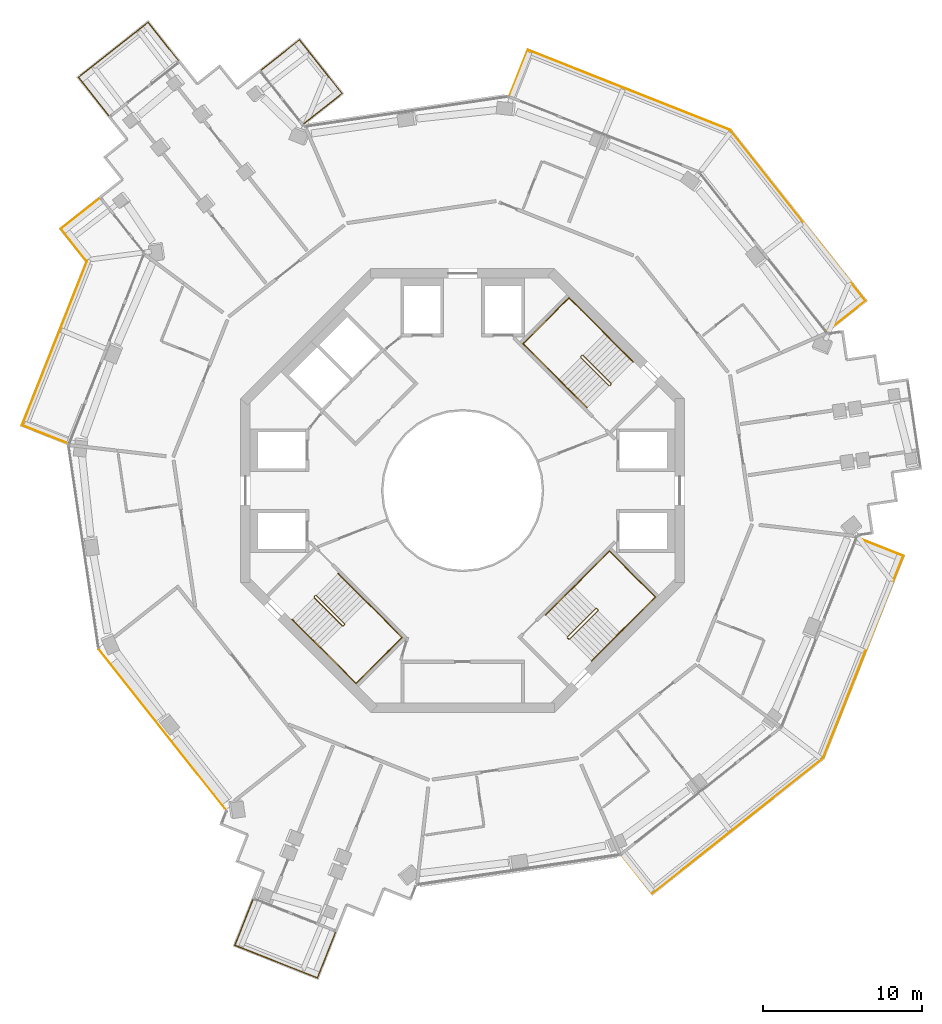
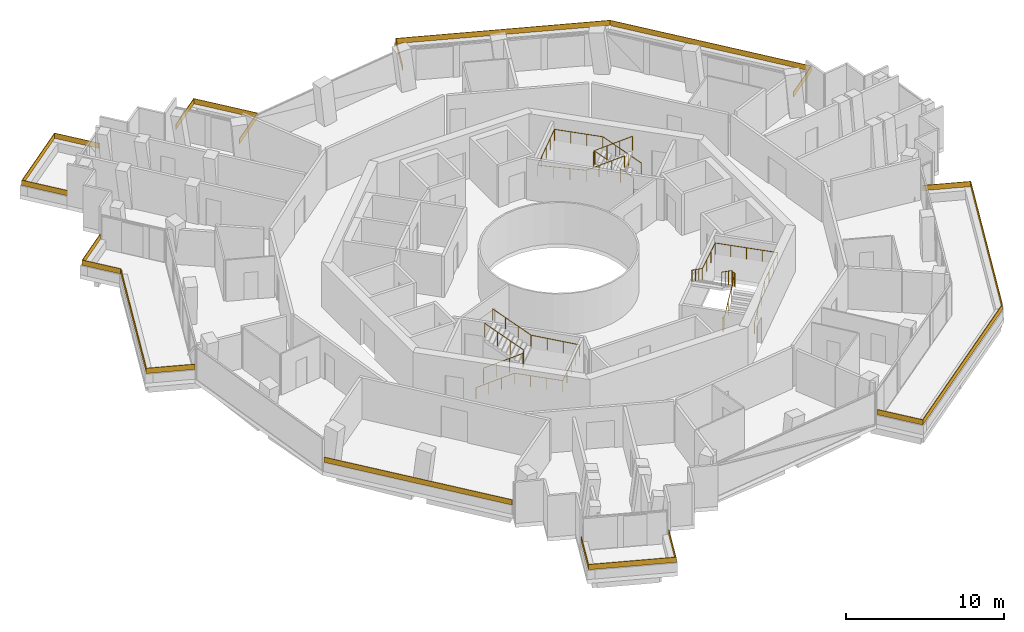
# One storey, part 21 of 21: 13 railings.
"""IFC4 building model written with IfcOpenShell, lengths in metres."""

import ifcopenshell
import ifcopenshell.guid

model = None  # the IFC model being written
_history = None  # IfcOwnerHistory: only IFC2X3 demands one
_inside = {}  # id of a spatial element -> (the spatial element, [elements in it])
_under = {}  # id of a project, library or spatial element -> (it, [spatial elements below it])
_declared = {}  # id of a project -> (the project, [libraries it declares])
_typed = {}  # id of a type object -> (the type object, [elements of that type])
_made_of = {}  # id of a material, layer set ... -> (it, [elements and type objects made of it])


def new_model(schema):
    """Start an empty IFC model of exactly this schema.

    Asked for "IFC4X3", IfcOpenShell would pick the latest addendum, in which some entities
    have other attributes; the version numbers below select the first issue.
    IFC2X3 requires an IfcOwnerHistory on every rooted entity: one is made here for all.
    """
    global model, _history
    if schema == "IFC4X3":
        model = ifcopenshell.file(schema_version=(4, 3, 0, 0))
    else:
        model = ifcopenshell.file(schema=schema)
    _inside.clear()
    _under.clear()
    _declared.clear()
    _typed.clear()
    _made_of.clear()
    _history = None
    if model.schema == "IFC2X3":
        org = make("IfcOrganization", Name="unknown")
        user = make(
            "IfcPersonAndOrganization",
            ThePerson=make("IfcPerson", FamilyName="unknown"),
            TheOrganization=org,
        )
        app = make(
            "IfcApplication",
            ApplicationDeveloper=org,
            Version="unknown",
            ApplicationFullName="unknown",
            ApplicationIdentifier="unknown",
        )
        _history = make(
            "IfcOwnerHistory",
            OwningUser=user,
            OwningApplication=app,
            ChangeAction="ADDED",
            CreationDate=0,
        )
    return model


def make(cls, **values):
    """One entity of the class cls with the attributes given. An attribute that is None is left unset."""
    return model.create_entity(
        cls, **{name: value for name, value in values.items() if value is not None}
    )


def rooted(cls, **values):
    """An entity with a GlobalId (a new one), such as an element, a storey or a relation."""
    return make(cls, GlobalId=ifcopenshell.guid.new(), OwnerHistory=_history, **values)


def si_unit(unit_type, name, prefix=None):
    """IfcSIUnit, for example si_unit("LENGTHUNIT", "METRE", prefix="MILLI")."""
    return make("IfcSIUnit", UnitType=unit_type, Prefix=prefix, Name=name)


def assignment(units):
    """IfcUnitAssignment: the units of a project."""
    return None if units is None else make("IfcUnitAssignment", Units=units)


def point(xyz):
    """IfcCartesianPoint."""
    return None if xyz is None else make("IfcCartesianPoint", Coordinates=xyz)


def direction(xyz):
    """IfcDirection."""
    return None if xyz is None else make("IfcDirection", DirectionRatios=xyz)


def frame(location, z_axis=None, x_axis=None):
    """IfcAxis2Placement3D, a coordinate frame: its origin and axes. An axis left out is left unset."""
    return make(
        "IfcAxis2Placement3D",
        Location=point(location),
        Axis=direction(z_axis),
        RefDirection=direction(x_axis),
    )


def frame_2d(location, x_axis=None):
    """IfcAxis2Placement2D, a coordinate frame in the plane: its origin and x axis."""
    return make(
        "IfcAxis2Placement2D", Location=point(location), RefDirection=direction(x_axis)
    )


def origin():
    """The frame at (0, 0, 0) with its axes left unset."""
    return frame((0.0, 0.0, 0.0))


def origin_2d():
    """The frame at (0, 0) in the plane with its x axis left unset."""
    return frame_2d((0.0, 0.0))


def place(relative_to, where):
    """IfcLocalPlacement: puts the frame where relative to a parent placement (None: the world)."""
    return make(
        "IfcLocalPlacement", PlacementRelTo=relative_to, RelativePlacement=where
    )


def context(
    kind, dimensions, precision=None, world=None, true_north=None, identifier=None
):
    """IfcGeometricRepresentationContext, for example the 3D "Model" context."""
    return make(
        "IfcGeometricRepresentationContext",
        ContextIdentifier=identifier,
        ContextType=kind,
        CoordinateSpaceDimension=dimensions,
        Precision=precision,
        WorldCoordinateSystem=world,
        TrueNorth=true_north,
    )


def subcontext(parent, identifier, kind, view, scale=None):
    """IfcGeometricRepresentationSubContext, for example "Body" below "Model"."""
    return make(
        "IfcGeometricRepresentationSubContext",
        ContextIdentifier=identifier,
        ContextType=kind,
        ParentContext=parent,
        TargetScale=scale,
        TargetView=view,
    )


def project(units=None, contexts=None):
    """IfcProject with its units and contexts."""
    return rooted(
        "IfcProject",
        Name="project",
        RepresentationContexts=contexts,
        UnitsInContext=assignment(units),
    )


def spatial(cls, under=None, at=None, **own):
    """A site, building, storey or space (cls), placed at a placement, below another one or the project."""
    s = rooted(cls, ObjectPlacement=at, **own)
    if under is not None:
        _under.setdefault(under.id(), (under, []))[1].append(s)
    return s


def polyline(points):
    """IfcPolyline through the points."""
    return make("IfcPolyline", Points=[point(p) for p in points])


def profile(cls, at=None, kind="AREA", **sizes):
    """A parametric profile (cls). Its sizes go by their IFC names, for example OverallWidth=200.0."""
    return make(cls, ProfileType=kind, Position=at, **sizes)


def rectangle(**sizes):
    """IfcRectangleProfileDef."""
    return profile("IfcRectangleProfileDef", **sizes)


def circle(**sizes):
    """IfcCircleProfileDef."""
    return profile("IfcCircleProfileDef", **sizes)


def outline(outer, holes=None, kind="AREA"):
    """IfcArbitraryClosedProfileDef: a profile drawn as a closed curve; with holes, ...WithVoids."""
    if holes is None:
        return make("IfcArbitraryClosedProfileDef", ProfileType=kind, OuterCurve=outer)
    return make(
        "IfcArbitraryProfileDefWithVoids",
        ProfileType=kind,
        OuterCurve=outer,
        InnerCurves=holes,
    )


def extrude(swept, where, along, depth):
    """IfcExtrudedAreaSolid: the profile swept, set in the frame where, extruded along a direction by depth."""
    return make(
        "IfcExtrudedAreaSolid",
        SweptArea=swept,
        Position=where,
        ExtrudedDirection=direction(along),
        Depth=depth,
    )


def shape(context_of_items, identifier, shape_type, items):
    """IfcShapeRepresentation: the items that make up one representation, for example the "Body"."""
    return make(
        "IfcShapeRepresentation",
        ContextOfItems=context_of_items,
        RepresentationIdentifier=identifier,
        RepresentationType=shape_type,
        Items=items,
    )


def material(Name=None, Category=None):
    """IfcMaterial."""
    return make("IfcMaterial", Name=Name, Category=Category)


def layer(
    of_material, thickness, ventilated=None, Name=None, Category=None, Priority=None
):
    """IfcMaterialLayer: one layer of a wall or slab, of a material (None: an air gap)."""
    return make(
        "IfcMaterialLayer",
        Material=of_material,
        LayerThickness=thickness,
        IsVentilated=ventilated,
        Name=Name,
        Category=Category,
        Priority=Priority,
    )


def layer_set(layers, Name=None):
    """IfcMaterialLayerSet."""
    return make("IfcMaterialLayerSet", MaterialLayers=layers, LayerSetName=Name)


def made_of(thing, what):
    """Note that an element or type object is made of a material, layer set ...; save() writes the relation."""
    if what is not None:
        _made_of.setdefault(what.id(), (what, []))[1].append(thing)
    return thing


def type_object(cls, material=None, **own):
    """A type object (cls), such as IfcWallType, which elements share."""
    return made_of(rooted(cls, **own), material)


def element(
    cls,
    number,
    at=None,
    inside=None,
    cuts=None,
    type_object=None,
    material=None,
    context=None,
    identifier="Body",
    shape_type=None,
    held_by="IfcProductDefinitionShape",
    body=None,
    shapes=None,
    **own,
):
    """One element of the class cls, such as IfcWall. Its Tag is "e" and its number.

    at: its placement. inside: the storey or other place that contains it. cuts: it is an
    opening in that element (IfcRelVoidsElement). A single representation is given by context,
    identifier, shape_type and body (its items); several are given by shapes. held_by: the class
    of the entity that holds the representations. save() writes the other relations.
    """
    e = rooted(cls, Tag="e%d" % number, ObjectPlacement=at, **own)
    if body is not None:
        shapes = [shape(context, identifier, shape_type, body)]
    if shapes is not None:
        e.Representation = make(held_by, Representations=shapes)
    if inside is not None:
        _inside.setdefault(inside.id(), (inside, []))[1].append(e)
    if cuts is not None:
        rooted(
            "IfcRelVoidsElement", RelatingBuildingElement=cuts, RelatedOpeningElement=e
        )
    if type_object is not None:
        _typed.setdefault(type_object.id(), (type_object, []))[1].append(e)
    return made_of(e, material)


def aggregate(whole, parts):
    """IfcRelAggregates: a whole, such as a stair, and the parts it consists of."""
    return rooted("IfcRelAggregates", RelatingObject=whole, RelatedObjects=parts)


def save(model, path):
    """Write the relations noted so far, then the file.

    IfcRelAggregates (storeys below a building ...), IfcRelContainedInSpatialStructure (elements
    in a storey), IfcRelDefinesByType, IfcRelAssociatesMaterial and IfcRelDeclares: one each for
    every whole, place, type object, material and project.
    """
    for whole, parts in _under.values():
        aggregate(whole, parts)
    for where, things in _inside.values():
        rooted(
            "IfcRelContainedInSpatialStructure",
            RelatedElements=things,
            RelatingStructure=where,
        )
    for kind, things in _typed.values():
        rooted("IfcRelDefinesByType", RelatedObjects=things, RelatingType=kind)
    for what, things in _made_of.values():
        rooted("IfcRelAssociatesMaterial", RelatedObjects=things, RelatingMaterial=what)
    for by, libraries in _declared.values():
        rooted("IfcRelDeclares", RelatingContext=by, RelatedDefinitions=libraries)
    model.write(path)


model = new_model("IFC4")

# Units and contexts
model_context = context("Model", 3, precision=1e-05, world=origin(), true_north=direction((0.0, 1.0)))
body_context = subcontext(model_context, "Body", "Model", "MODEL_VIEW")
ifc_project = project(units=[si_unit("LENGTHUNIT", "METRE"), si_unit("AREAUNIT", "SQUARE_METRE"), si_unit("VOLUMEUNIT", "CUBIC_METRE"), si_unit("PLANEANGLEUNIT", "RADIAN"), si_unit("MASSUNIT", "GRAM", prefix="KILO")], contexts=[model_context])

# Site, building, storey
site_placement = place(None, origin())
site = spatial("IfcSite", under=ifc_project, at=site_placement, CompositionType="ELEMENT")
building_placement = place(site_placement, origin())
building = spatial("IfcBuilding", under=site, at=building_placement, Name="Verdalira Terraces Hotel", CompositionType="ELEMENT")
storey_placement = place(building_placement, frame((0.0, 0.0, 190.5)))
storey = spatial("IfcBuildingStorey", under=building, at=storey_placement, Name="L46", CompositionType="ELEMENT", Elevation=190.5)

# Railings
ifc_material_1 = material(Name="Laminated glass", Category="glass")
ifc_layer = layer(ifc_material_1, 0.0400390625)
ifc_layer_set = layer_set([ifc_layer], Name="Balcony glass guard 400")
railing_type_1 = type_object("IfcRailingType", Name="Balcony glass guard 400", PredefinedType="GUARDRAIL", material=ifc_layer_set)
railing_1_placement = place(storey_placement, frame((0.0, 0.0, 0.699951)))
element("IfcRailing", 1, at=railing_1_placement, inside=storey, type_object=railing_type_1, Name="Balcony glass guard", PredefinedType="GUARDRAIL", context=body_context, shape_type="SweptSolid", body=[
    extrude(outline(polyline([(-19.848877, 29.518555), (-24.206299, 26.064941), (-22.293701, 23.6521), (-22.324951, 23.627197), (-24.262451, 26.071533), (-19.842285, 29.574707), (-17.905029, 27.130371), (-17.936279, 27.105713), (-19.848877, 29.518555)])), origin(), (0.0, 0.0, 1.0), 0.400146),
])
railing_2_placement = place(storey_placement, frame((0.0, 0.0, 0.699951)))
element("IfcRailing", 2, at=railing_2_placement, inside=storey, type_object=railing_type_1, Name="Balcony glass guard", PredefinedType="GUARDRAIL", context=body_context, shape_type="SweptSolid", body=[
    extrude(outline(polyline([(-25.311523, 16.512207), (-23.68042, 14.454102), (-27.76709, 4.131836), (-24.904297, 2.998535), (-24.919189, 2.961182), (-27.819092, 4.109375), (-23.726074, 14.447266), (-25.367676, 16.518555), (-22.92334, 18.456055), (-22.898438, 18.424561), (-25.311523, 16.512207)])), origin(), (0.0, 0.0, 1.0), 0.400146),
])
railing_3_placement = place(storey_placement, frame((0.0, 0.0, 0.699951)))
element("IfcRailing", 3, at=railing_3_placement, inside=storey, type_object=railing_type_1, Name="Balcony glass guard", PredefinedType="GUARDRAIL", context=body_context, shape_type="SweptSolid", body=[
    extrude(outline(polyline([(-14.342041, -28.672119), (-9.172607, -30.718994), (-8.039062, -27.856201), (-8.001953, -27.87085), (-9.150146, -30.770752), (-14.394043, -28.69458), (-13.24585, -25.794678), (-13.208496, -25.809326), (-14.342041, -28.672119)])), origin(), (0.0, 0.0, 1.0), 0.400146),
])
railing_4_placement = place(storey_placement, frame((0.0, 0.0, 0.699951)))
element("IfcRailing", 4, at=railing_4_placement, inside=storey, type_object=railing_type_1, Name="Balcony glass guard", PredefinedType="GUARDRAIL", context=body_context, shape_type="SweptSolid", body=[
    extrude(outline(polyline([(11.981201, -25.387695), (22.721924, -16.874756), (27.76709, -4.131836), (24.904297, -2.998535), (24.919189, -2.961182), (27.819092, -4.109375), (22.755127, -16.899414), (11.974609, -25.444092), (10.037354, -22.999756), (10.068604, -22.974854), (11.981201, -25.387695)])), origin(), (0.0, 0.0, 1.0), 0.400146),
])
railing_5_placement = place(storey_placement, frame((0.0, 0.0, 0.699951)))
element("IfcRailing", 5, at=railing_5_placement, inside=storey, type_object=railing_type_1, Name="Balcony glass guard", PredefinedType="GUARDRAIL", context=body_context, shape_type="SweptSolid", body=[
    extrude(outline(polyline([(25.387695, 11.981201), (16.874756, 22.721924), (4.131836, 27.76709), (2.998535, 24.904297), (2.961182, 24.919189), (4.109375, 27.819092), (16.899414, 22.755127), (25.444092, 11.974609), (22.999756, 10.037354), (22.974854, 10.068604), (25.387695, 11.981201)])), origin(), (0.0, 0.0, 1.0), 0.400146),
])
railing_6_placement = place(storey_placement, frame((0.0, 0.0, 0.699951)))
element("IfcRailing", 6, at=railing_6_placement, inside=storey, type_object=railing_type_1, Name="Balcony glass guard", PredefinedType="GUARDRAIL", context=body_context, shape_type="SweptSolid", body=[
    extrude(outline(polyline([(-7.634766, 25.055664), (-10.295898, 28.41333), (-12.708984, 26.500732), (-12.733643, 26.532227), (-10.289307, 28.469482), (-7.578613, 25.049316), (-10.022949, 23.111816), (-10.047852, 23.143311), (-7.634766, 25.055664)])), origin(), (0.0, 0.0, 1.0), 0.400146),
])
railing_7_placement = place(storey_placement, frame((-18.971924, -15.036865, 0.699951), z_axis=(0.0, 0.0, 1.0), x_axis=(0.62114778, -0.783693457, 0.0)))
element("IfcRailing", 7, at=railing_7_placement, inside=storey, type_object=railing_type_1, Name="Loggia glass guard", PredefinedType="GUARDRAIL", context=body_context, shape_type="SweptSolid", body=[
    extrude(rectangle(XDim=12.840088, YDim=0.040039, at=origin_2d()), origin(), (0.0, 0.0, 1.0), 0.399902),
])
ifc_material_2 = material(Name="Stainless steel", Category="steel")
railing_type_2 = type_object("IfcRailingType", Name="Stair guard 1100", PredefinedType="GUARDRAIL", material=ifc_material_2)
railing_8_placement = place(storey_placement, frame((9.369141, 6.682129, 0.0)))
element("IfcRailing", 8, at=railing_8_placement, inside=storey, type_object=railing_type_2, Name="L46 ST1 stair guard 1", PredefinedType="GUARDRAIL", context=body_context, shape_type="SweptSolid", body=[
    extrude(circle(Radius=0.023926, at=origin_2d()), frame((0.0, 0.0, 1.076172), z_axis=(-0.707106781, -0.707106781, 0.0), x_axis=(0.707106781, -0.707106781, 0.0)), (0.0, 0.0, 1.0), 0.100098),
    extrude(circle(Radius=0.023926, at=origin_2d()), frame((-0.070801, -0.070801, 1.076172), z_axis=(0.299976798, 0.599953596, 0.741666773), x_axis=(-0.894427191, 0.447213596, 0.0)), (0.0, 0.0, 1.0), 0.236084),
    extrude(circle(Radius=0.023926, at=origin_2d()), frame((0.0, 0.070801, 1.250977), z_axis=(-0.599667044, 0.599584886, 0.529997548), x_axis=(-0.707058338, -0.707155221, 0.0)), (0.0, 0.0, 1.0), 2.97168),
    extrude(circle(Radius=0.023926, at=origin_2d()), frame((-1.781982, 1.852539, 2.826172), z_axis=(-1.0, 0.0, 0.0), x_axis=(0.0, -1.0, 0.0)), (0.0, 0.0, 1.0), 0.070557),
    extrude(circle(Radius=0.023926, at=origin_2d()), frame((-1.852539, 1.852539, 2.826172), z_axis=(-0.70832698, -0.705884473, 0.0), x_axis=(0.705884473, -0.70832698, 0.0)), (0.0, 0.0, 1.0), 0.099854),
    extrude(circle(Radius=0.023926, at=origin_2d()), frame((-1.92334, 1.781982, 2.826172), z_axis=(0.0, -0.374954687, 0.92704314), x_axis=(1.0, 0.0, 0.0)), (0.0, 0.0, 1.0), 0.188721),
    extrude(circle(Radius=0.023926, at=origin_2d()), frame((-1.92334, 1.711182, 3.000977), z_axis=(0.599637504, -0.599637504, 0.52997144), x_axis=(0.707106781, 0.707106781, 0.0)), (0.0, 0.0, 1.0), 2.97168),
    extrude(circle(Radius=0.020996, at=origin_2d()), origin(), (0.0, 0.0, 1.0), 1.052002),
    extrude(circle(Radius=0.020996, at=origin_2d()), frame((-0.070801, -0.070801, 0.0)), (0.0, 0.0, 1.0), 1.052002),
    extrude(circle(Radius=0.020996, at=origin_2d()), frame((0.0, 0.070801, 0.175049)), (0.0, 0.0, 1.0), 1.052002),
    extrude(circle(Radius=0.020996, at=origin_2d()), frame((-0.593994, 0.664795, 0.699951)), (0.0, 0.0, 1.0), 1.052002),
    extrude(circle(Radius=0.020996, at=origin_2d()), frame((-1.187988, 1.258545, 1.225098)), (0.0, 0.0, 1.0), 1.052002),
    extrude(circle(Radius=0.020996, at=origin_2d()), frame((-1.781982, 1.852539, 1.75)), (0.0, 0.0, 1.0), 1.052002),
    extrude(circle(Radius=0.020996, at=origin_2d()), frame((-1.852539, 1.852539, 1.75)), (0.0, 0.0, 1.0), 1.052002),
    extrude(circle(Radius=0.020996, at=origin_2d()), frame((-1.92334, 1.781982, 1.75)), (0.0, 0.0, 1.0), 1.052002),
    extrude(circle(Radius=0.020996, at=origin_2d()), frame((-1.92334, 1.711182, 1.925049)), (0.0, 0.0, 1.0), 1.052002),
    extrude(circle(Radius=0.020996, at=origin_2d()), frame((-1.329346, 1.117188, 2.449951)), (0.0, 0.0, 1.0), 1.052002),
    extrude(circle(Radius=0.020996, at=origin_2d()), frame((-0.735352, 0.523193, 2.975098)), (0.0, 0.0, 1.0), 1.052002),
    extrude(circle(Radius=0.020996, at=origin_2d()), frame((-0.141357, -0.070801, 3.5)), (0.0, 0.0, 1.0), 1.052002),
])
railing_9_placement = place(storey_placement, frame((-9.369141, -6.682129, 0.0)))
element("IfcRailing", 9, at=railing_9_placement, inside=storey, type_object=railing_type_2, Name="L46 ST2 stair guard 1", PredefinedType="GUARDRAIL", context=body_context, shape_type="SweptSolid", body=[
    extrude(circle(Radius=0.023926, at=origin_2d()), frame((0.0, 0.0, 1.076172), z_axis=(0.707106781, 0.707106781, 0.0), x_axis=(-0.707106781, 0.707106781, 0.0)), (0.0, 0.0, 1.0), 0.100098),
    extrude(circle(Radius=0.023926, at=origin_2d()), frame((0.070801, 0.070801, 1.076172), z_axis=(-0.299976798, -0.599953596, 0.741666773), x_axis=(0.894427191, -0.447213596, 0.0)), (0.0, 0.0, 1.0), 0.236084),
    extrude(circle(Radius=0.023926, at=origin_2d()), frame((0.0, -0.070801, 1.250977), z_axis=(0.599667044, -0.599584886, 0.529997548), x_axis=(0.707058338, 0.707155221, 0.0)), (0.0, 0.0, 1.0), 2.97168),
    extrude(circle(Radius=0.023926, at=origin_2d()), frame((1.781982, -1.852539, 2.826172), z_axis=(1.0, 0.0, 0.0), x_axis=(0.0, 1.0, 0.0)), (0.0, 0.0, 1.0), 0.070557),
    extrude(circle(Radius=0.023926, at=origin_2d()), frame((1.852539, -1.852539, 2.826172), z_axis=(0.70832698, 0.705884473, 0.0), x_axis=(-0.705884473, 0.70832698, 0.0)), (0.0, 0.0, 1.0), 0.099854),
    extrude(circle(Radius=0.023926, at=origin_2d()), frame((1.92334, -1.781982, 2.826172), z_axis=(0.0, 0.374954687, 0.92704314), x_axis=(-1.0, 0.0, 0.0)), (0.0, 0.0, 1.0), 0.188721),
    extrude(circle(Radius=0.023926, at=origin_2d()), frame((1.92334, -1.711182, 3.000977), z_axis=(-0.599637504, 0.599637504, 0.52997144), x_axis=(-0.707106781, -0.707106781, 0.0)), (0.0, 0.0, 1.0), 2.97168),
    extrude(circle(Radius=0.020996, at=origin_2d()), origin(), (0.0, 0.0, 1.0), 1.052002),
    extrude(circle(Radius=0.020996, at=origin_2d()), frame((0.070801, 0.070801, 0.0)), (0.0, 0.0, 1.0), 1.052002),
    extrude(circle(Radius=0.020996, at=origin_2d()), frame((0.0, -0.070801, 0.175049)), (0.0, 0.0, 1.0), 1.052002),
    extrude(circle(Radius=0.020996, at=origin_2d()), frame((0.593994, -0.664795, 0.699951)), (0.0, 0.0, 1.0), 1.052002),
    extrude(circle(Radius=0.020996, at=origin_2d()), frame((1.187988, -1.258545, 1.225098)), (0.0, 0.0, 1.0), 1.052002),
    extrude(circle(Radius=0.020996, at=origin_2d()), frame((1.781982, -1.852539, 1.75)), (0.0, 0.0, 1.0), 1.052002),
    extrude(circle(Radius=0.020996, at=origin_2d()), frame((1.852539, -1.852539, 1.75)), (0.0, 0.0, 1.0), 1.052002),
    extrude(circle(Radius=0.020996, at=origin_2d()), frame((1.92334, -1.781982, 1.75)), (0.0, 0.0, 1.0), 1.052002),
    extrude(circle(Radius=0.020996, at=origin_2d()), frame((1.92334, -1.711182, 1.925049)), (0.0, 0.0, 1.0), 1.052002),
    extrude(circle(Radius=0.020996, at=origin_2d()), frame((1.329346, -1.117188, 2.449951)), (0.0, 0.0, 1.0), 1.052002),
    extrude(circle(Radius=0.020996, at=origin_2d()), frame((0.735352, -0.523193, 2.975098)), (0.0, 0.0, 1.0), 1.052002),
    extrude(circle(Radius=0.020996, at=origin_2d()), frame((0.141357, 0.070801, 3.5)), (0.0, 0.0, 1.0), 1.052002),
])
railing_10_placement = place(storey_placement, frame((6.682129, -9.369141, 0.0)))
element("IfcRailing", 10, at=railing_10_placement, inside=storey, type_object=railing_type_2, Name="L46 ST3 stair guard 1", PredefinedType="GUARDRAIL", context=body_context, shape_type="SweptSolid", body=[
    extrude(circle(Radius=0.023926, at=origin_2d()), frame((0.0, 0.0, 1.076172), z_axis=(-0.707106781, 0.707106781, 0.0), x_axis=(-0.707106781, -0.707106781, 0.0)), (0.0, 0.0, 1.0), 0.100098),
    extrude(circle(Radius=0.023926, at=origin_2d()), frame((-0.070801, 0.070801, 1.076172), z_axis=(0.599953596, -0.299976798, 0.741666773), x_axis=(0.447213596, 0.894427191, 0.0)), (0.0, 0.0, 1.0), 0.236084),
    extrude(circle(Radius=0.023926, at=origin_2d()), frame((0.070801, 0.0, 1.250977), z_axis=(0.599584886, 0.599667044, 0.529997548), x_axis=(-0.707155221, 0.707058338, 0.0)), (0.0, 0.0, 1.0), 2.97168),
    extrude(circle(Radius=0.023926, at=origin_2d()), frame((1.852539, 1.781982, 2.826172), z_axis=(0.0, 1.0, 0.0), x_axis=(-1.0, 0.0, 0.0)), (0.0, 0.0, 1.0), 0.070557),
    extrude(circle(Radius=0.023926, at=origin_2d()), frame((1.852539, 1.852539, 2.826172), z_axis=(-0.705884473, 0.70832698, 0.0), x_axis=(-0.70832698, -0.705884473, 0.0)), (0.0, 0.0, 1.0), 0.099854),
    extrude(circle(Radius=0.023926, at=origin_2d()), frame((1.781982, 1.92334, 2.826172), z_axis=(-0.374954687, 0.0, 0.92704314), x_axis=(0.0, -1.0, 0.0)), (0.0, 0.0, 1.0), 0.188721),
    extrude(circle(Radius=0.023926, at=origin_2d()), frame((1.711182, 1.92334, 3.000977), z_axis=(-0.599637504, -0.599637504, 0.52997144), x_axis=(0.707106781, -0.707106781, 0.0)), (0.0, 0.0, 1.0), 2.97168),
    extrude(circle(Radius=0.020996, at=origin_2d()), origin(), (0.0, 0.0, 1.0), 1.052002),
    extrude(circle(Radius=0.020996, at=origin_2d()), frame((-0.070801, 0.070801, 0.0)), (0.0, 0.0, 1.0), 1.052002),
    extrude(circle(Radius=0.020996, at=origin_2d()), frame((0.070801, 0.0, 0.175049)), (0.0, 0.0, 1.0), 1.052002),
    extrude(circle(Radius=0.020996, at=origin_2d()), frame((0.664795, 0.593994, 0.699951)), (0.0, 0.0, 1.0), 1.052002),
    extrude(circle(Radius=0.020996, at=origin_2d()), frame((1.258545, 1.187988, 1.225098)), (0.0, 0.0, 1.0), 1.052002),
    extrude(circle(Radius=0.020996, at=origin_2d()), frame((1.852539, 1.781982, 1.75)), (0.0, 0.0, 1.0), 1.052002),
    extrude(circle(Radius=0.020996, at=origin_2d()), frame((1.852539, 1.852539, 1.75)), (0.0, 0.0, 1.0), 1.052002),
    extrude(circle(Radius=0.020996, at=origin_2d()), frame((1.781982, 1.92334, 1.75)), (0.0, 0.0, 1.0), 1.052002),
    extrude(circle(Radius=0.020996, at=origin_2d()), frame((1.711182, 1.92334, 1.925049)), (0.0, 0.0, 1.0), 1.052002),
    extrude(circle(Radius=0.020996, at=origin_2d()), frame((1.117188, 1.329346, 2.449951)), (0.0, 0.0, 1.0), 1.052002),
    extrude(circle(Radius=0.020996, at=origin_2d()), frame((0.523193, 0.735352, 2.975098)), (0.0, 0.0, 1.0), 1.052002),
    extrude(circle(Radius=0.020996, at=origin_2d()), frame((-0.070801, 0.141357, 3.5)), (0.0, 0.0, 1.0), 1.052002),
])
ifc_material_3 = material(Name="Stainless steel", Category="steel")
railing_type_3 = type_object("IfcRailingType", Name="Stair handrail 900", PredefinedType="HANDRAIL", material=ifc_material_3)
railing_11_placement = place(storey_placement, frame((10.748047, 8.131836, 0.175049)))
element("IfcRailing", 11, at=railing_11_placement, inside=storey, type_object=railing_type_3, Name="L46 ST1 stair handrail 1", PredefinedType="HANDRAIL", context=body_context, shape_type="SweptSolid", body=[
    extrude(circle(Radius=0.023926, at=origin_2d()), frame((0.0, 0.0, 0.875977), z_axis=(-0.599667044, 0.599584886, 0.529997548), x_axis=(-0.707058338, -0.707155221, 0.0)), (0.0, 0.0, 1.0), 2.97168),
    extrude(circle(Radius=0.023926, at=origin_2d()), frame((-1.781982, 1.781738, 2.450684), z_axis=(-0.707068394, 0.707145166, 0.0), x_axis=(-0.707145166, -0.707068394, 0.0)), (0.0, 0.0, 1.0), 3.180176),
    extrude(circle(Radius=0.023926, at=origin_2d()), frame((-4.030518, 4.030518, 2.450684), z_axis=(-0.707106781, -0.707106781, 0.0), x_axis=(0.707106781, -0.707106781, 0.0)), (0.0, 0.0, 1.0), 4.100098),
    extrude(circle(Radius=0.023926, at=origin_2d()), frame((-6.929688, 1.131348, 2.450684), z_axis=(0.705999616, -0.706076271, 0.054962185), x_axis=(0.707145166, 0.707068394, 0.0)), (0.0, 0.0, 1.0), 3.184814),
    extrude(circle(Radius=0.023926, at=origin_2d()), frame((-4.681152, -1.117432, 2.625977), z_axis=(0.599667044, -0.599584886, 0.529997548), x_axis=(0.707058338, 0.707155221, 0.0)), (0.0, 0.0, 1.0), 2.97168),
    extrude(circle(Radius=0.020996, at=origin_2d()), origin(), (0.0, 0.0, 1.0), 0.851807),
    extrude(circle(Radius=0.020996, at=origin_2d()), frame((-0.593994, 0.593994, 0.524902)), (0.0, 0.0, 1.0), 0.851807),
    extrude(circle(Radius=0.020996, at=origin_2d()), frame((-1.187988, 1.187744, 1.050049)), (0.0, 0.0, 1.0), 0.851807),
    extrude(circle(Radius=0.020996, at=origin_2d()), frame((-1.781982, 1.781738, 1.574951)), (0.0, 0.0, 1.0), 0.851807),
    extrude(circle(Radius=0.020996, at=origin_2d()), frame((-2.531494, 2.53125, 1.574951)), (0.0, 0.0, 1.0), 0.851807),
    extrude(circle(Radius=0.020996, at=origin_2d()), frame((-3.281006, 3.281006, 1.574951)), (0.0, 0.0, 1.0), 0.851807),
    extrude(circle(Radius=0.020996, at=origin_2d()), frame((-4.030518, 4.030518, 1.574951)), (0.0, 0.0, 1.0), 0.851807),
    extrude(circle(Radius=0.020996, at=origin_2d()), frame((-4.755371, 3.305664, 1.574951)), (0.0, 0.0, 1.0), 0.851807),
    extrude(circle(Radius=0.020996, at=origin_2d()), frame((-5.47998, 2.581055, 1.574951)), (0.0, 0.0, 1.0), 0.851807),
    extrude(circle(Radius=0.020996, at=origin_2d()), frame((-6.204834, 1.856201, 1.574951)), (0.0, 0.0, 1.0), 0.851807),
    extrude(circle(Radius=0.020996, at=origin_2d()), frame((-6.929688, 1.131348, 1.574951)), (0.0, 0.0, 1.0), 0.851807),
    extrude(circle(Radius=0.020996, at=origin_2d()), frame((-6.180176, 0.381836, 1.633301)), (0.0, 0.0, 1.0), 0.851807),
    extrude(circle(Radius=0.020996, at=origin_2d()), frame((-5.430664, -0.36792, 1.69165)), (0.0, 0.0, 1.0), 0.851807),
    extrude(circle(Radius=0.020996, at=origin_2d()), frame((-4.681152, -1.117432, 1.75)), (0.0, 0.0, 1.0), 0.851807),
    extrude(circle(Radius=0.020996, at=origin_2d()), frame((-4.087158, -1.711426, 2.274902)), (0.0, 0.0, 1.0), 0.851807),
    extrude(circle(Radius=0.020996, at=origin_2d()), frame((-3.493164, -2.305176, 2.800049)), (0.0, 0.0, 1.0), 0.851807),
    extrude(circle(Radius=0.020996, at=origin_2d()), frame((-2.89917, -2.89917, 3.324951)), (0.0, 0.0, 1.0), 0.851807),
])
railing_12_placement = place(storey_placement, frame((-10.748047, -8.131836, 0.175049)))
element("IfcRailing", 12, at=railing_12_placement, inside=storey, type_object=railing_type_3, Name="L46 ST2 stair handrail 1", PredefinedType="HANDRAIL", context=body_context, shape_type="SweptSolid", body=[
    extrude(circle(Radius=0.023926, at=origin_2d()), frame((0.0, 0.0, 0.875977), z_axis=(0.599667044, -0.599584886, 0.529997548), x_axis=(0.707058338, 0.707155221, 0.0)), (0.0, 0.0, 1.0), 2.97168),
    extrude(circle(Radius=0.023926, at=origin_2d()), frame((1.781982, -1.781738, 2.450684), z_axis=(0.707068394, -0.707145166, 0.0), x_axis=(0.707145166, 0.707068394, 0.0)), (0.0, 0.0, 1.0), 3.180176),
    extrude(circle(Radius=0.023926, at=origin_2d()), frame((4.030518, -4.030518, 2.450684), z_axis=(0.707106781, 0.707106781, 0.0), x_axis=(-0.707106781, 0.707106781, 0.0)), (0.0, 0.0, 1.0), 4.100098),
    extrude(circle(Radius=0.023926, at=origin_2d()), frame((6.929688, -1.131348, 2.450684), z_axis=(-0.705999616, 0.706076271, 0.054962185), x_axis=(-0.707145166, -0.707068394, 0.0)), (0.0, 0.0, 1.0), 3.184814),
    extrude(circle(Radius=0.023926, at=origin_2d()), frame((4.681152, 1.117432, 2.625977), z_axis=(-0.599667044, 0.599584886, 0.529997548), x_axis=(-0.707058338, -0.707155221, 0.0)), (0.0, 0.0, 1.0), 2.97168),
    extrude(circle(Radius=0.020996, at=origin_2d()), origin(), (0.0, 0.0, 1.0), 0.851807),
    extrude(circle(Radius=0.020996, at=origin_2d()), frame((0.593994, -0.593994, 0.524902)), (0.0, 0.0, 1.0), 0.851807),
    extrude(circle(Radius=0.020996, at=origin_2d()), frame((1.187988, -1.187744, 1.050049)), (0.0, 0.0, 1.0), 0.851807),
    extrude(circle(Radius=0.020996, at=origin_2d()), frame((1.781982, -1.781738, 1.574951)), (0.0, 0.0, 1.0), 0.851807),
    extrude(circle(Radius=0.020996, at=origin_2d()), frame((2.531494, -2.53125, 1.574951)), (0.0, 0.0, 1.0), 0.851807),
    extrude(circle(Radius=0.020996, at=origin_2d()), frame((3.281006, -3.281006, 1.574951)), (0.0, 0.0, 1.0), 0.851807),
    extrude(circle(Radius=0.020996, at=origin_2d()), frame((4.030518, -4.030518, 1.574951)), (0.0, 0.0, 1.0), 0.851807),
    extrude(circle(Radius=0.020996, at=origin_2d()), frame((4.755371, -3.305664, 1.574951)), (0.0, 0.0, 1.0), 0.851807),
    extrude(circle(Radius=0.020996, at=origin_2d()), frame((5.47998, -2.581055, 1.574951)), (0.0, 0.0, 1.0), 0.851807),
    extrude(circle(Radius=0.020996, at=origin_2d()), frame((6.204834, -1.856201, 1.574951)), (0.0, 0.0, 1.0), 0.851807),
    extrude(circle(Radius=0.020996, at=origin_2d()), frame((6.929688, -1.131348, 1.574951)), (0.0, 0.0, 1.0), 0.851807),
    extrude(circle(Radius=0.020996, at=origin_2d()), frame((6.180176, -0.381836, 1.633301)), (0.0, 0.0, 1.0), 0.851807),
    extrude(circle(Radius=0.020996, at=origin_2d()), frame((5.430664, 0.36792, 1.69165)), (0.0, 0.0, 1.0), 0.851807),
    extrude(circle(Radius=0.020996, at=origin_2d()), frame((4.681152, 1.117432, 1.75)), (0.0, 0.0, 1.0), 0.851807),
    extrude(circle(Radius=0.020996, at=origin_2d()), frame((4.087158, 1.711426, 2.274902)), (0.0, 0.0, 1.0), 0.851807),
    extrude(circle(Radius=0.020996, at=origin_2d()), frame((3.493164, 2.305176, 2.800049)), (0.0, 0.0, 1.0), 0.851807),
    extrude(circle(Radius=0.020996, at=origin_2d()), frame((2.89917, 2.89917, 3.324951)), (0.0, 0.0, 1.0), 0.851807),
])
railing_13_placement = place(storey_placement, frame((8.131836, -10.748047, 0.175049)))
element("IfcRailing", 13, at=railing_13_placement, inside=storey, type_object=railing_type_3, Name="L46 ST3 stair handrail 1", PredefinedType="HANDRAIL", context=body_context, shape_type="SweptSolid", body=[
    extrude(circle(Radius=0.023926, at=origin_2d()), frame((0.0, 0.0, 0.875977), z_axis=(0.599584886, 0.599667044, 0.529997548), x_axis=(-0.707155221, 0.707058338, 0.0)), (0.0, 0.0, 1.0), 2.97168),
    extrude(circle(Radius=0.023926, at=origin_2d()), frame((1.781738, 1.781982, 2.450684), z_axis=(0.707145166, 0.707068394, 0.0), x_axis=(-0.707068394, 0.707145166, 0.0)), (0.0, 0.0, 1.0), 3.180176),
    extrude(circle(Radius=0.023926, at=origin_2d()), frame((4.030518, 4.030518, 2.450684), z_axis=(-0.707106781, 0.707106781, 0.0), x_axis=(-0.707106781, -0.707106781, 0.0)), (0.0, 0.0, 1.0), 4.100098),
    extrude(circle(Radius=0.023926, at=origin_2d()), frame((1.131348, 6.929688, 2.450684), z_axis=(-0.706076271, -0.705999616, 0.054962185), x_axis=(0.707068394, -0.707145166, 0.0)), (0.0, 0.0, 1.0), 3.184814),
    extrude(circle(Radius=0.023926, at=origin_2d()), frame((-1.117432, 4.681152, 2.625977), z_axis=(-0.599584886, -0.599667044, 0.529997548), x_axis=(0.707155221, -0.707058338, 0.0)), (0.0, 0.0, 1.0), 2.97168),
    extrude(circle(Radius=0.020996, at=origin_2d()), origin(), (0.0, 0.0, 1.0), 0.851807),
    extrude(circle(Radius=0.020996, at=origin_2d()), frame((0.593994, 0.593994, 0.524902)), (0.0, 0.0, 1.0), 0.851807),
    extrude(circle(Radius=0.020996, at=origin_2d()), frame((1.187744, 1.187988, 1.050049)), (0.0, 0.0, 1.0), 0.851807),
    extrude(circle(Radius=0.020996, at=origin_2d()), frame((1.781738, 1.781982, 1.574951)), (0.0, 0.0, 1.0), 0.851807),
    extrude(circle(Radius=0.020996, at=origin_2d()), frame((2.53125, 2.531494, 1.574951)), (0.0, 0.0, 1.0), 0.851807),
    extrude(circle(Radius=0.020996, at=origin_2d()), frame((3.281006, 3.281006, 1.574951)), (0.0, 0.0, 1.0), 0.851807),
    extrude(circle(Radius=0.020996, at=origin_2d()), frame((4.030518, 4.030518, 1.574951)), (0.0, 0.0, 1.0), 0.851807),
    extrude(circle(Radius=0.020996, at=origin_2d()), frame((3.305664, 4.755371, 1.574951)), (0.0, 0.0, 1.0), 0.851807),
    extrude(circle(Radius=0.020996, at=origin_2d()), frame((2.581055, 5.47998, 1.574951)), (0.0, 0.0, 1.0), 0.851807),
    extrude(circle(Radius=0.020996, at=origin_2d()), frame((1.856201, 6.204834, 1.574951)), (0.0, 0.0, 1.0), 0.851807),
    extrude(circle(Radius=0.020996, at=origin_2d()), frame((1.131348, 6.929688, 1.574951)), (0.0, 0.0, 1.0), 0.851807),
    extrude(circle(Radius=0.020996, at=origin_2d()), frame((0.381836, 6.180176, 1.633301)), (0.0, 0.0, 1.0), 0.851807),
    extrude(circle(Radius=0.020996, at=origin_2d()), frame((-0.36792, 5.430664, 1.69165)), (0.0, 0.0, 1.0), 0.851807),
    extrude(circle(Radius=0.020996, at=origin_2d()), frame((-1.117432, 4.681152, 1.75)), (0.0, 0.0, 1.0), 0.851807),
    extrude(circle(Radius=0.020996, at=origin_2d()), frame((-1.711426, 4.087158, 2.274902)), (0.0, 0.0, 1.0), 0.851807),
    extrude(circle(Radius=0.020996, at=origin_2d()), frame((-2.305176, 3.493164, 2.800049)), (0.0, 0.0, 1.0), 0.851807),
    extrude(circle(Radius=0.020996, at=origin_2d()), frame((-2.89917, 2.89917, 3.324951)), (0.0, 0.0, 1.0), 0.851807),
])

save(model, "model.ifc")
